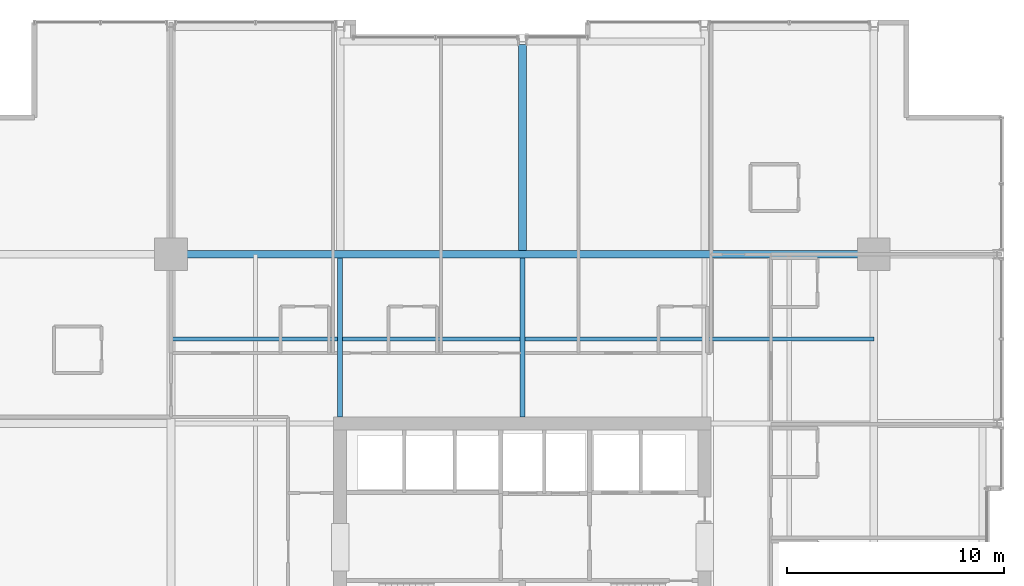
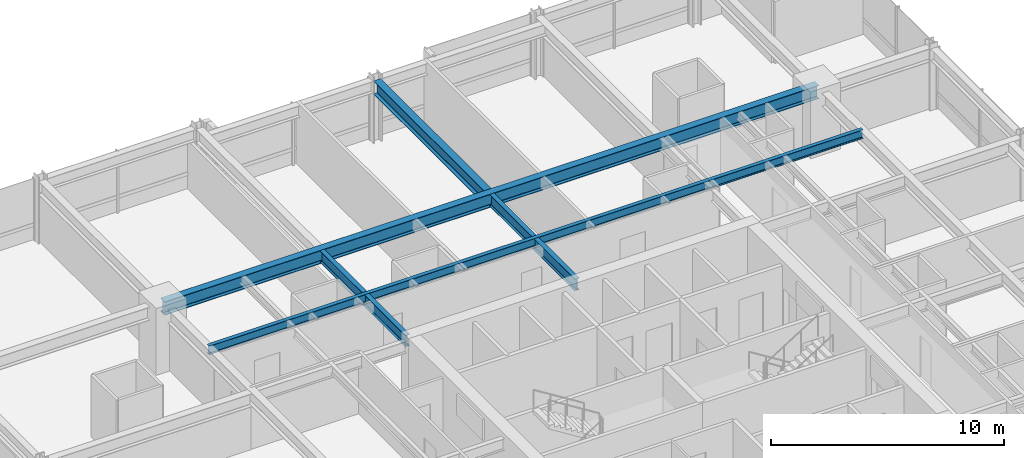
# One storey, part 19 of 35: 5 beams.
"""IFC4 building model written with IfcOpenShell, lengths in metres."""

from ifc_helpers import new_model, si_unit, direction, frame, origin, origin_2d, place, context, subcontext, project, spatial, i_section, extrude, material, material_profile, profile_set, type_object, element, save


model = new_model("IFC4")

# Units and contexts
model_context = context("Model", 3, precision=1e-05, world=origin(), true_north=direction((0.0, 1.0)))
body_context = subcontext(model_context, "Body", "Model", "MODEL_VIEW")
ifc_project = project(units=[si_unit("LENGTHUNIT", "METRE"), si_unit("AREAUNIT", "SQUARE_METRE"), si_unit("VOLUMEUNIT", "CUBIC_METRE"), si_unit("PLANEANGLEUNIT", "RADIAN"), si_unit("MASSUNIT", "GRAM", prefix="KILO")], contexts=[model_context])

# Site, building, storey
site_placement = place(None, origin())
site = spatial("IfcSite", under=ifc_project, at=site_placement, CompositionType="ELEMENT")
building_placement = place(site_placement, origin())
building = spatial("IfcBuilding", under=site, at=building_placement, Name="Drelvath Grand Hotel", CompositionType="ELEMENT")
storey_placement = place(building_placement, frame((0.0, 0.0, 130.300048828125)))
storey = spatial("IfcBuildingStorey", under=building, at=storey_placement, Name="L33", CompositionType="ELEMENT", Elevation=130.300048828125)

# Beams
ifc_material = material(Name="Steel ASTM A992 Gr 50", Category="steel")
ifc_material_profile_1 = material_profile(ifc_material, i_section(OverallWidth=0.19140625, OverallDepth=0.4599609375, WebThickness=0.010009765625, FlangeThickness=0.01611328125, FilletRadius=0.01611328125, at=origin_2d()), Name="W18X55")
ifc_profile_set_1 = profile_set([ifc_material_profile_1], Name="Steel ASTM A992 Gr 50")
beam_type_1 = type_object("IfcBeamType", Name="Composite Floor Joist W18X55", PredefinedType="JOIST", material=ifc_profile_set_1)
beam_1_placement = place(storey_placement, frame((-16.199951171875, 39.300048828125, 3.010009765625), z_axis=(1.0, 0.0, 0.0), x_axis=(0.0, 1.0, 0.0)))
element("IfcBeam", 1, at=beam_1_placement, inside=storey, type_object=beam_type_1, Name="L33 Floor Joist J2", PredefinedType="JOIST", context=body_context, shape_type="SweptSolid", body=[
    extrude(i_section(OverallWidth=0.19140625, OverallDepth=0.4599609375, WebThickness=0.010009765625, FlangeThickness=0.01611328125, FilletRadius=0.01611328125, at=origin_2d()), origin(), (0.0, 0.0, 1.0), 32.39990234375),
])
ifc_material_profile_2 = material_profile(ifc_material, i_section(OverallWidth=0.228271484375, OverallDepth=0.607666015625, WebThickness=0.01123046875, FlangeThickness=0.017333984375, FilletRadius=0.02001953125, at=origin_2d()), Name="W24X76")
ifc_profile_set_2 = profile_set([ifc_material_profile_2], Name="Steel ASTM A992 Gr 50")
beam_type_2 = type_object("IfcBeamType", Name="Primary Floor Girder W24X76", PredefinedType="BEAM", material=ifc_profile_set_2)
for number, where, z_axis, x_axis, name in (
    (2, (-8.39990234375, 35.699951171875, 2.93603515625), (0.0, 1.0, 0.0), (-1.0, 0.0, 0.0), "L33 North Core Tie 4"),
    (3, (0.0, 35.699951171875, 2.93603515625), (0.0, 1.0, 0.0), (-1.0, 0.0, 0.0), "L33 North Core Tie 5"),
):
    element("IfcBeam", number, at=place(storey_placement, frame(where, z_axis=z_axis, x_axis=x_axis)), inside=storey, type_object=beam_type_2, Name=name, PredefinedType="BEAM", context=body_context, shape_type="SweptSolid", body=[
        extrude(i_section(OverallWidth=0.228271484375, OverallDepth=0.607666015625, WebThickness=0.01123046875, FlangeThickness=0.017333984375, FilletRadius=0.02001953125, at=origin_2d()), origin(), (0.0, 0.0, 1.0), 7.32275390625),
    ])
ifc_material_profile_3 = material_profile(ifc_material, i_section(OverallWidth=0.354736328125, OverallDepth=0.695556640625, WebThickness=0.015380859375, FlangeThickness=0.025146484375, FilletRadius=0.02392578125, at=origin_2d()), Name="W27X146")
ifc_profile_set_3 = profile_set([ifc_material_profile_3], Name="Steel ASTM A992 Gr 50")
beam_type_3 = type_object("IfcBeamType", Name="Primary Floor Girder W27X146", PredefinedType="BEAM", material=ifc_profile_set_3)
beam_2_placement = place(storey_placement, frame((-16.199951171875, 43.199951171875, 2.892333984375), z_axis=(1.0, 0.0, 0.0), x_axis=(0.0, 1.0, 0.0)))
element("IfcBeam", 4, at=beam_2_placement, inside=storey, type_object=beam_type_3, Name="L33 Mega Ring Girder North", PredefinedType="BEAM", context=body_context, shape_type="SweptSolid", body=[
    extrude(i_section(OverallWidth=0.354736328125, OverallDepth=0.695556640625, WebThickness=0.015380859375, FlangeThickness=0.025146484375, FilletRadius=0.02392578125, at=origin_2d()), origin(), (0.0, 0.0, 1.0), 32.39990234375),
])
beam_3_placement = place(storey_placement, frame((0.0, 43.37744140625, 2.892333984375), z_axis=(0.0, 1.0, 0.0), x_axis=(-1.0, 0.0, 0.0)))
element("IfcBeam", 5, at=beam_3_placement, inside=storey, type_object=beam_type_3, Name="L33 North Wing Girder 5", PredefinedType="BEAM", context=body_context, shape_type="SweptSolid", body=[
    extrude(i_section(OverallWidth=0.354736328125, OverallDepth=0.695556640625, WebThickness=0.015380859375, FlangeThickness=0.025146484375, FilletRadius=0.02392578125, at=origin_2d()), origin(), (0.0, 0.0, 1.0), 9.482666015625),
])

save(model, "model.ifc")
